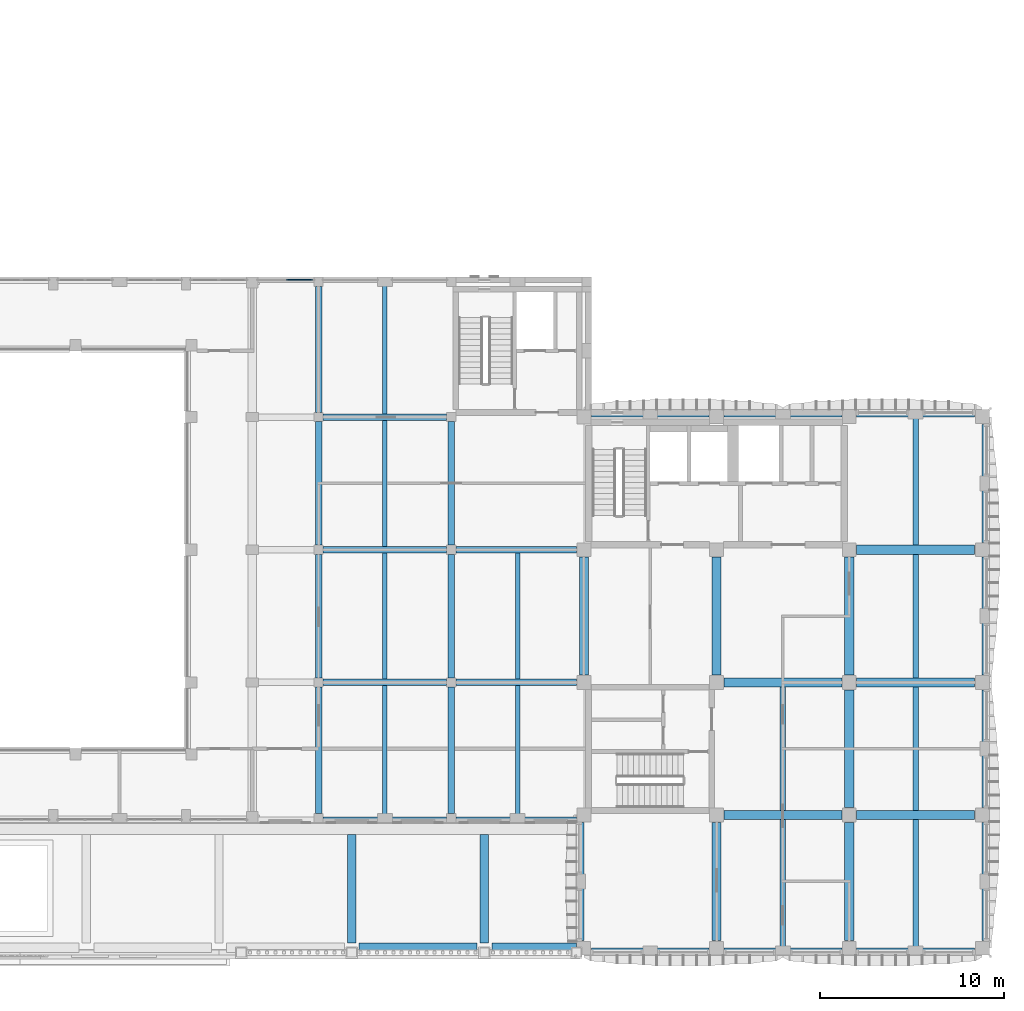
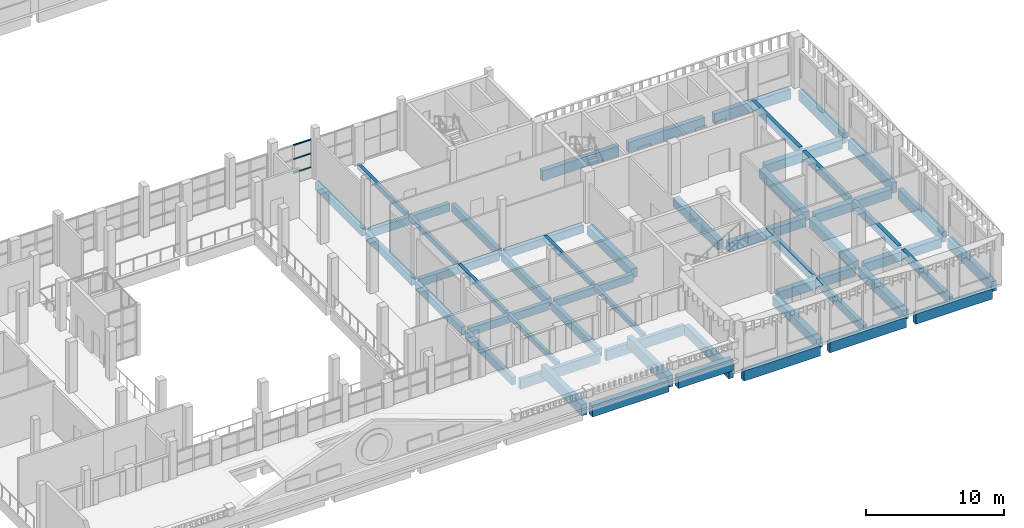
# One storey, part 12 of 58: 52 beams, 3 members, 1 element without a shape of its own.
"""IFC4 building model written with IfcOpenShell, lengths in metres."""

from ifc_helpers import new_model, si_unit, direction, frame, origin, origin_2d, place, context, subcontext, project, spatial, rectangle, extrude, material, layer, layer_set, material_profile, profile_set, type_object, element, aggregate, save


model = new_model("IFC4")

# Units and contexts
model_context = context("Model", 3, precision=1e-05, world=origin(), true_north=direction((0.0, 1.0)))
body_context = subcontext(model_context, "Body", "Model", "MODEL_VIEW")
ifc_project = project(units=[si_unit("LENGTHUNIT", "METRE"), si_unit("AREAUNIT", "SQUARE_METRE"), si_unit("VOLUMEUNIT", "CUBIC_METRE"), si_unit("PLANEANGLEUNIT", "RADIAN"), si_unit("MASSUNIT", "GRAM", prefix="KILO")], contexts=[model_context])

# Site, building, storey
site_placement = place(None, origin())
site = spatial("IfcSite", under=ifc_project, at=site_placement, CompositionType="ELEMENT")
building_placement = place(site_placement, origin())
building = spatial("IfcBuilding", under=site, at=building_placement, Name="Ussher Court Research Institute", CompositionType="ELEMENT")
storey_placement = place(building_placement, frame((0.0, 0.0, 9.89990234375)))
storey = spatial("IfcBuildingStorey", under=building, at=storey_placement, Name="L02", CompositionType="ELEMENT", Elevation=9.89990234375)

# Beams
ifc_material_1 = material(Name="Concrete C35/45", Category="concrete")
ifc_material_profile_1 = material_profile(ifc_material_1, rectangle(XDim=0.25, YDim=0.449951171875, at=origin_2d()), Name="RC 250x450")
ifc_profile_set_1 = profile_set([ifc_material_profile_1], Name="Concrete C35/45")
beam_type_1 = type_object("IfcBeamType", Name="RC 250x450 beam", PredefinedType="BEAM", material=ifc_profile_set_1)
beam_1_placement = place(storey_placement, frame((71.39990234375, 11.10009765625, -0.224853515625), z_axis=(0.0, 1.0, 0.0), x_axis=(-1.0, 0.0, 0.0)))
element("IfcBeam", 1, at=beam_1_placement, inside=storey, type_object=beam_type_1, Name="B1 V7 L02-03", PredefinedType="BEAM", context=body_context, shape_type="SweptSolid", body=[
    extrude(rectangle(XDim=0.25, YDim=0.449951171875, at=origin_2d()), origin(), (0.0, 0.0, 1.0), 7.125),
])
for number, where, z_axis, x_axis, name in (
    (2, (71.39990234375, 18.574951171875, -0.224853515625), (0.0, 1.0, 0.0), (-1.0, 0.0, 0.0), "B1 V7 L02-04"),
    (3, (71.39990234375, 25.77490234375, -0.224853515625), (0.0, 1.0, 0.0), (-1.0, 0.0, 0.0), "B1 V7 L02-05"),
):
    element("IfcBeam", number, at=place(storey_placement, frame(where, z_axis=z_axis, x_axis=x_axis)), inside=storey, type_object=beam_type_1, Name=name, PredefinedType="BEAM", context=body_context, shape_type="SweptSolid", body=[
        extrude(rectangle(XDim=0.25, YDim=0.449951171875, at=origin_2d()), origin(), (0.0, 0.0, 1.0), 6.85009765625),
    ])
for number, where, z_axis, x_axis, name in (
    (4, (71.39990234375, 32.97509765625, -0.224853515625), (0.0, 1.0, 0.0), (-1.0, 0.0, 0.0), "B1 V7 L02-06"),
    (5, (78.60009765625, 11.10009765625, -0.224853515625), (0.0, 1.0, 0.0), (-1.0, 0.0, 0.0), "B1 V7 L02-07"),
):
    element("IfcBeam", number, at=place(storey_placement, frame(where, z_axis=z_axis, x_axis=x_axis)), inside=storey, type_object=beam_type_1, Name=name, PredefinedType="BEAM", context=body_context, shape_type="SweptSolid", body=[
        extrude(rectangle(XDim=0.25, YDim=0.449951171875, at=origin_2d()), origin(), (0.0, 0.0, 1.0), 7.125),
    ])
beam_2_placement = place(storey_placement, frame((78.60009765625, 18.574951171875, -0.224853515625), z_axis=(0.0, 1.0, 0.0), x_axis=(-1.0, 0.0, 0.0)))
element("IfcBeam", 6, at=beam_2_placement, inside=storey, type_object=beam_type_1, Name="B1 V7 L02-08", PredefinedType="BEAM", context=body_context, shape_type="SweptSolid", body=[
    extrude(rectangle(XDim=0.25, YDim=0.449951171875, at=origin_2d()), origin(), (0.0, 0.0, 1.0), 6.85009765625),
])
ifc_material_2 = material(Name="Concrete C35/45", Category="concrete")
ifc_material_profile_2 = material_profile(ifc_material_2, rectangle(XDim=0.300048828125, YDim=0.699951171875, at=origin_2d()), Name="RC 300x700")
ifc_profile_set_2 = profile_set([ifc_material_profile_2], Name="Concrete C35/45")
beam_type_2 = type_object("IfcBeamType", Name="RC 300x700 beam", PredefinedType="BEAM", material=ifc_profile_set_2)
beam_3_placement = place(storey_placement, frame((93.0, 4.0, -0.349853515625), z_axis=(0.0, 1.0, 0.0), x_axis=(-1.0, 0.0, 0.0)))
element("IfcBeam", 7, at=beam_3_placement, inside=storey, type_object=beam_type_2, Name="B5 V4 L02-01", PredefinedType="BEAM", context=body_context, shape_type="SweptSolid", body=[
    extrude(rectangle(XDim=0.300048828125, YDim=0.699951171875, at=origin_2d()), origin(), (0.0, 0.0, 1.0), 6.949951171875),
])
beam_4_placement = place(storey_placement, frame((93.0, 11.449951171875, -0.349853515625), z_axis=(0.0, 1.0, 0.0), x_axis=(-1.0, 0.0, 0.0)))
element("IfcBeam", 8, at=beam_4_placement, inside=storey, type_object=beam_type_2, Name="B5 V4 L02-02", PredefinedType="BEAM", context=body_context, shape_type="SweptSolid", body=[
    extrude(rectangle(XDim=0.300048828125, YDim=0.699951171875, at=origin_2d()), origin(), (0.0, 0.0, 1.0), 6.699951171875),
])
beam_5_placement = place(storey_placement, frame((100.199951171875, 4.0, -0.349853515625), z_axis=(0.0, 1.0, 0.0), x_axis=(-1.0, 0.0, 0.0)))
element("IfcBeam", 9, at=beam_5_placement, inside=storey, type_object=beam_type_2, Name="B5 V4 L02-03", PredefinedType="BEAM", context=body_context, shape_type="SweptSolid", body=[
    extrude(rectangle(XDim=0.300048828125, YDim=0.699951171875, at=origin_2d()), origin(), (0.0, 0.0, 1.0), 6.949951171875),
])
beam_6_placement = place(storey_placement, frame((100.199951171875, 11.449951171875, -0.349853515625), z_axis=(0.0, 1.0, 0.0), x_axis=(-1.0, 0.0, 0.0)))
element("IfcBeam", 10, at=beam_6_placement, inside=storey, type_object=beam_type_2, Name="B5 V4 L02-04", PredefinedType="BEAM", context=body_context, shape_type="SweptSolid", body=[
    extrude(rectangle(XDim=0.300048828125, YDim=0.699951171875, at=origin_2d()), origin(), (0.0, 0.0, 1.0), 6.699951171875),
])
beam_7_placement = place(storey_placement, frame((100.199951171875, 18.64990234375, -0.349853515625), z_axis=(0.0, 1.0, 0.0), x_axis=(-1.0, 0.0, 0.0)))
element("IfcBeam", 11, at=beam_7_placement, inside=storey, type_object=beam_type_2, Name="B5 V4 L02-05", PredefinedType="BEAM", context=body_context, shape_type="SweptSolid", body=[
    extrude(rectangle(XDim=0.300048828125, YDim=0.699951171875, at=origin_2d()), origin(), (0.0, 0.0, 1.0), 6.7001953125),
])
beam_8_placement = place(storey_placement, frame((100.199951171875, 25.85009765625, -0.349853515625), z_axis=(0.0, 1.0, 0.0), x_axis=(-1.0, 0.0, 0.0)))
element("IfcBeam", 12, at=beam_8_placement, inside=storey, type_object=beam_type_2, Name="B5 V4 L02-06", PredefinedType="BEAM", context=body_context, shape_type="SweptSolid", body=[
    extrude(rectangle(XDim=0.300048828125, YDim=0.699951171875, at=origin_2d()), origin(), (0.0, 0.0, 1.0), 6.949951171875),
])
ifc_material_3 = material(Name="Concrete C35/45", Category="concrete")
ifc_material_profile_3 = material_profile(ifc_material_3, rectangle(XDim=0.300048828125, YDim=0.89990234375, at=origin_2d()), Name="RC 300x900")
ifc_profile_set_3 = profile_set([ifc_material_profile_3], Name="Concrete C35/45")
beam_type_3 = type_object("IfcBeamType", Name="RC 300x900 beam", PredefinedType="BEAM", material=ifc_profile_set_3)
beam_9_placement = place(storey_placement, frame((68.050048828125, 10.949951171875, -0.64990234375), z_axis=(1.0, 0.0, 0.0), x_axis=(0.0, 1.0, 0.0)))
element("IfcBeam", 13, at=beam_9_placement, inside=storey, type_object=beam_type_3, Name="SB2 V7 L02-04", PredefinedType="BEAM", context=body_context, shape_type="SweptSolid", body=[
    extrude(rectangle(XDim=0.300048828125, YDim=0.89990234375, at=origin_2d()), origin(), (0.0, 0.0, 1.0), 6.699951171875),
])
beam_10_placement = place(storey_placement, frame((75.25, 10.949951171875, -0.64990234375), z_axis=(1.0, 0.0, 0.0), x_axis=(0.0, 1.0, 0.0)))
element("IfcBeam", 14, at=beam_10_placement, inside=storey, type_object=beam_type_3, Name="SB2 V7 L02-05", PredefinedType="BEAM", context=body_context, shape_type="SweptSolid", body=[
    extrude(rectangle(XDim=0.300048828125, YDim=0.89990234375, at=origin_2d()), origin(), (0.0, 0.0, 1.0), 6.550048828125),
])
ifc_material_4 = material(Name="Concrete C35/45", Category="concrete")
ifc_material_profile_4 = material_profile(ifc_material_4, rectangle(XDim=0.35009765625, YDim=0.699951171875, at=origin_2d()), Name="RC 350x700")
ifc_profile_set_4 = profile_set([ifc_material_profile_4], Name="Concrete C35/45")
beam_type_4 = type_object("IfcBeamType", Name="RC 350x700 beam", PredefinedType="BEAM", material=ifc_profile_set_4)
beam_11_placement = place(storey_placement, frame((68.050048828125, 18.39990234375, -0.5498046875), z_axis=(1.0, 0.0, 0.0), x_axis=(0.0, 1.0, 0.0)))
element("IfcBeam", 15, at=beam_11_placement, inside=storey, type_object=beam_type_4, Name="B16 V7 L02-04", PredefinedType="BEAM", context=body_context, shape_type="SweptSolid", body=[
    extrude(rectangle(XDim=0.35009765625, YDim=0.699951171875, at=origin_2d()), origin(), (0.0, 0.0, 1.0), 6.699951171875),
])
beam_12_placement = place(storey_placement, frame((75.25, 18.39990234375, -0.5498046875), z_axis=(1.0, 0.0, 0.0), x_axis=(0.0, 1.0, 0.0)))
element("IfcBeam", 16, at=beam_12_placement, inside=storey, type_object=beam_type_4, Name="B16 V7 L02-05", PredefinedType="BEAM", context=body_context, shape_type="SweptSolid", body=[
    extrude(rectangle(XDim=0.35009765625, YDim=0.699951171875, at=origin_2d()), origin(), (0.0, 0.0, 1.0), 6.550048828125),
])
beam_13_placement = place(storey_placement, frame((68.050048828125, 25.60009765625, -0.5498046875), z_axis=(1.0, 0.0, 0.0), x_axis=(0.0, 1.0, 0.0)))
element("IfcBeam", 17, at=beam_13_placement, inside=storey, type_object=beam_type_4, Name="B16 V7 L02-09", PredefinedType="BEAM", context=body_context, shape_type="SweptSolid", body=[
    extrude(rectangle(XDim=0.35009765625, YDim=0.699951171875, at=origin_2d()), origin(), (0.0, 0.0, 1.0), 6.699951171875),
])
beam_14_placement = place(storey_placement, frame((75.25, 25.60009765625, -0.5498046875), z_axis=(1.0, 0.0, 0.0), x_axis=(0.0, 1.0, 0.0)))
element("IfcBeam", 18, at=beam_14_placement, inside=storey, type_object=beam_type_4, Name="B16 V7 L02-10", PredefinedType="BEAM", context=body_context, shape_type="SweptSolid", body=[
    extrude(rectangle(XDim=0.35009765625, YDim=0.699951171875, at=origin_2d()), origin(), (0.0, 0.0, 1.0), 6.550048828125),
])
beam_15_placement = place(storey_placement, frame((68.050048828125, 32.800048828125, -0.5498046875), z_axis=(1.0, 0.0, 0.0), x_axis=(0.0, 1.0, 0.0)))
element("IfcBeam", 19, at=beam_15_placement, inside=storey, type_object=beam_type_4, Name="B16 V7 L02-13", PredefinedType="BEAM", context=body_context, shape_type="SweptSolid", body=[
    extrude(rectangle(XDim=0.35009765625, YDim=0.699951171875, at=origin_2d()), origin(), (0.0, 0.0, 1.0), 6.699951171875),
])
beam_16_placement = place(storey_placement, frame((67.800048828125, 11.300048828125, -0.5498046875), z_axis=(0.0, 1.0, 0.0), x_axis=(-1.0, 0.0, 0.0)))
element("IfcBeam", 20, at=beam_16_placement, inside=storey, type_object=beam_type_4, Name="B16 V7 L02-17", PredefinedType="BEAM", context=body_context, shape_type="SweptSolid", body=[
    extrude(rectangle(XDim=0.35009765625, YDim=0.699951171875, at=origin_2d()), origin(), (0.0, 0.0, 1.0), 6.849853515625),
])
beam_17_placement = place(storey_placement, frame((67.800048828125, 18.64990234375, -0.5498046875), z_axis=(0.0, 1.0, 0.0), x_axis=(-1.0, 0.0, 0.0)))
element("IfcBeam", 21, at=beam_17_placement, inside=storey, type_object=beam_type_4, Name="B16 V7 L02-18", PredefinedType="BEAM", context=body_context, shape_type="SweptSolid", body=[
    extrude(rectangle(XDim=0.35009765625, YDim=0.699951171875, at=origin_2d()), origin(), (0.0, 0.0, 1.0), 6.7001953125),
])
beam_18_placement = place(storey_placement, frame((67.800048828125, 25.85009765625, -0.5498046875), z_axis=(0.0, 1.0, 0.0), x_axis=(-1.0, 0.0, 0.0)))
element("IfcBeam", 22, at=beam_18_placement, inside=storey, type_object=beam_type_4, Name="B16 V7 L02-19", PredefinedType="BEAM", context=body_context, shape_type="SweptSolid", body=[
    extrude(rectangle(XDim=0.35009765625, YDim=0.699951171875, at=origin_2d()), origin(), (0.0, 0.0, 1.0), 6.699951171875),
])
for number, where, z_axis, x_axis, name in (
    (23, (67.800048828125, 33.050048828125, -0.5498046875), (0.0, 1.0, 0.0), (-1.0, 0.0, 0.0), "B16 V7 L02-20"),
    (24, (75.0, 11.300048828125, -0.5498046875), (0.0, 1.0, 0.0), (-1.0, 0.0, 0.0), "B16 V7 L02-21"),
):
    element("IfcBeam", number, at=place(storey_placement, frame(where, z_axis=z_axis, x_axis=x_axis)), inside=storey, type_object=beam_type_4, Name=name, PredefinedType="BEAM", context=body_context, shape_type="SweptSolid", body=[
        extrude(rectangle(XDim=0.35009765625, YDim=0.699951171875, at=origin_2d()), origin(), (0.0, 0.0, 1.0), 6.849853515625),
    ])
beam_19_placement = place(storey_placement, frame((75.0, 18.64990234375, -0.5498046875), z_axis=(0.0, 1.0, 0.0), x_axis=(-1.0, 0.0, 0.0)))
element("IfcBeam", 25, at=beam_19_placement, inside=storey, type_object=beam_type_4, Name="B16 V7 L02-22", PredefinedType="BEAM", context=body_context, shape_type="SweptSolid", body=[
    extrude(rectangle(XDim=0.35009765625, YDim=0.699951171875, at=origin_2d()), origin(), (0.0, 0.0, 1.0), 6.7001953125),
])
beam_20_placement = place(storey_placement, frame((75.0, 25.85009765625, -0.5498046875), z_axis=(0.0, 1.0, 0.0), x_axis=(-1.0, 0.0, 0.0)))
element("IfcBeam", 26, at=beam_20_placement, inside=storey, type_object=beam_type_4, Name="B16 V7 L02-23", PredefinedType="BEAM", context=body_context, shape_type="SweptSolid", body=[
    extrude(rectangle(XDim=0.35009765625, YDim=0.699951171875, at=origin_2d()), origin(), (0.0, 0.0, 1.0), 6.699951171875),
])
ifc_material_5 = material(Name="Concrete C35/45", Category="concrete")
ifc_material_profile_5 = material_profile(ifc_material_5, rectangle(XDim=0.39990234375, YDim=0.89990234375, at=origin_2d()), Name="RC 400x900")
ifc_profile_set_5 = profile_set([ifc_material_profile_5], Name="Concrete C35/45")
beam_type_5 = type_object("IfcBeamType", Name="RC 400x900 beam", PredefinedType="BEAM", material=ifc_profile_set_5)
for number, where, z_axis, x_axis, name in (
    (27, (82.60009765625, 3.800048828125, -0.64990234375), (1.0, 0.0, 0.0), (0.0, 1.0, 0.0), "B8 V4 L02-01"),
    (28, (89.800048828125, 3.800048828125, -0.64990234375), (1.0, 0.0, 0.0), (0.0, 1.0, 0.0), "B8 V4 L02-02"),
    (29, (97.0, 3.800048828125, -0.64990234375), (1.0, 0.0, 0.0), (0.0, 1.0, 0.0), "B8 V4 L02-03"),
    (30, (82.60009765625, 33.0, -0.64990234375), (1.0, 0.0, 0.0), (0.0, 1.0, 0.0), "B8 V4 L02-04"),
    (31, (89.800048828125, 33.0, -0.64990234375), (1.0, 0.0, 0.0), (0.0, 1.0, 0.0), "B8 V4 L02-05"),
    (32, (97.0, 33.0, -0.64990234375), (1.0, 0.0, 0.0), (0.0, 1.0, 0.0), "B8 V4 L02-06"),
):
    element("IfcBeam", number, at=place(storey_placement, frame(where, z_axis=z_axis, x_axis=x_axis)), inside=storey, type_object=beam_type_5, Name=name, PredefinedType="BEAM", context=body_context, shape_type="SweptSolid", body=[
        extrude(rectangle(XDim=0.39990234375, YDim=0.89990234375, at=origin_2d()), origin(), (0.0, 0.0, 1.0), 6.39990234375),
    ])
for number, where, z_axis, x_axis, name in (
    (33, (82.0, 4.39990234375, -0.64990234375), (0.0, 1.0, 0.0), (-1.0, 0.0, 0.0), "B8 V4 L02-07"),
    (34, (104.0, 4.39990234375, -0.64990234375), (0.0, 1.0, 0.0), (-1.0, 0.0, 0.0), "B8 V4 L02-08"),
):
    element("IfcBeam", number, at=place(storey_placement, frame(where, z_axis=z_axis, x_axis=x_axis)), inside=storey, type_object=beam_type_5, Name=name, PredefinedType="BEAM", context=body_context, shape_type="SweptSolid", body=[
        extrude(rectangle(XDim=0.39990234375, YDim=0.89990234375, at=origin_2d()), origin(), (0.0, 0.0, 1.0), 6.400146484375),
    ])
for number, where, z_axis, x_axis, name in (
    (35, (104.0, 11.60009765625, -0.64990234375), (0.0, 1.0, 0.0), (-1.0, 0.0, 0.0), "B8 V4 L02-09"),
    (36, (104.0, 18.800048828125, -0.64990234375), (0.0, 1.0, 0.0), (-1.0, 0.0, 0.0), "B8 V4 L02-10"),
    (37, (104.0, 26.0, -0.64990234375), (0.0, 1.0, 0.0), (-1.0, 0.0, 0.0), "B8 V4 L02-11"),
):
    element("IfcBeam", number, at=place(storey_placement, frame(where, z_axis=z_axis, x_axis=x_axis)), inside=storey, type_object=beam_type_5, Name=name, PredefinedType="BEAM", context=body_context, shape_type="SweptSolid", body=[
        extrude(rectangle(XDim=0.39990234375, YDim=0.89990234375, at=origin_2d()), origin(), (0.0, 0.0, 1.0), 6.39990234375),
    ])
ifc_material_6 = material(Name="Concrete C35/45", Category="concrete")
ifc_material_profile_6 = material_profile(ifc_material_6, rectangle(XDim=0.449951171875, YDim=1.0, at=origin_2d()), Name="RC 450x1000")
ifc_profile_set_6 = profile_set([ifc_material_profile_6], Name="Concrete C35/45")
beam_type_6 = type_object("IfcBeamType", Name="RC 450x1000 beam", PredefinedType="BEAM", material=ifc_profile_set_6)
for number, where, z_axis, x_axis, name in (
    (38, (69.60009765625, 4.25, 0.5400390625), (0.0, 1.0, 0.0), (-1.0, 0.0, 0.0), "B19 V6 L02-06"),
    (39, (76.800048828125, 4.25, 0.5400390625), (0.0, 1.0, 0.0), (-1.0, 0.0, 0.0), "B19 V6 L02-07"),
):
    element("IfcBeam", number, at=place(storey_placement, frame(where, z_axis=z_axis, x_axis=x_axis)), inside=storey, type_object=beam_type_6, Name=name, PredefinedType="BEAM", context=body_context, shape_type="SweptSolid", body=[
        extrude(rectangle(XDim=0.449951171875, YDim=1.0, at=origin_2d()), origin(), (0.0, 0.0, 1.0), 5.89990234375),
    ])
ifc_material_7 = material(Name="Concrete C35/45", Category="concrete")
ifc_material_profile_7 = material_profile(ifc_material_7, rectangle(XDim=0.5, YDim=1.0, at=origin_2d()), Name="RC 500x1000")
ifc_profile_set_7 = profile_set([ifc_material_profile_7], Name="Concrete C35/45")
beam_type_7 = type_object("IfcBeamType", Name="RC 500x1000 beam", PredefinedType="BEAM", material=ifc_profile_set_7)
beam_21_placement = place(storey_placement, frame((70.0, 4.0, 0.5400390625), z_axis=(1.0, 0.0, 0.0), x_axis=(0.0, 1.0, 0.0)))
element("IfcBeam", 40, at=beam_21_placement, inside=storey, type_object=beam_type_7, Name="B12 V6 L02-07", PredefinedType="BEAM", context=body_context, shape_type="SweptSolid", body=[
    extrude(rectangle(XDim=0.5, YDim=1.0, at=origin_2d()), origin(), (0.0, 0.0, 1.0), 6.39990234375),
])
beam_22_placement = place(storey_placement, frame((77.199951171875, 4.0, 0.5400390625), z_axis=(1.0, 0.0, 0.0), x_axis=(0.0, 1.0, 0.0)))
element("IfcBeam", 41, at=beam_22_placement, inside=storey, type_object=beam_type_7, Name="B12 V6 L02-08", PredefinedType="BEAM", context=body_context, shape_type="SweptSolid", body=[
    extrude(rectangle(XDim=0.5, YDim=1.0, at=origin_2d()), origin(), (0.0, 0.0, 1.0), 4.60009765625),
])
ifc_material_8 = material(Name="Concrete C35/45", Category="concrete")
ifc_material_profile_8 = material_profile(ifc_material_8, rectangle(XDim=0.5, YDim=0.800048828125, at=origin_2d()), Name="RC 500x800")
ifc_profile_set_8 = profile_set([ifc_material_profile_8], Name="Concrete C35/45")
beam_type_8 = type_object("IfcBeamType", Name="RC 500x800 beam", PredefinedType="BEAM", material=ifc_profile_set_8)
for number, where, z_axis, x_axis, name in (
    (42, (89.800048828125, 11.199951171875, -0.599853515625), (1.0, 0.0, 0.0), (0.0, 1.0, 0.0), "B20 V4 L02-01"),
    (43, (97.0, 11.199951171875, -0.599853515625), (1.0, 0.0, 0.0), (0.0, 1.0, 0.0), "B20 V4 L02-02"),
    (44, (89.800048828125, 18.39990234375, -0.599853515625), (1.0, 0.0, 0.0), (0.0, 1.0, 0.0), "B20 V4 L02-03"),
    (45, (97.0, 18.39990234375, -0.599853515625), (1.0, 0.0, 0.0), (0.0, 1.0, 0.0), "B20 V4 L02-04"),
    (46, (97.0, 25.60009765625, -0.599853515625), (1.0, 0.0, 0.0), (0.0, 1.0, 0.0), "B20 V4 L02-05"),
    (47, (82.199951171875, 18.800048828125, -0.599853515625), (0.0, 1.0, 0.0), (-1.0, 0.0, 0.0), "B20 V4 L02-06"),
):
    element("IfcBeam", number, at=place(storey_placement, frame(where, z_axis=z_axis, x_axis=x_axis)), inside=storey, type_object=beam_type_8, Name=name, PredefinedType="BEAM", context=body_context, shape_type="SweptSolid", body=[
        extrude(rectangle(XDim=0.5, YDim=0.800048828125, at=origin_2d()), origin(), (0.0, 0.0, 1.0), 6.39990234375),
    ])
beam_23_placement = place(storey_placement, frame((89.39990234375, 4.39990234375, -0.599853515625), z_axis=(0.0, 1.0, 0.0), x_axis=(-1.0, 0.0, 0.0)))
element("IfcBeam", 48, at=beam_23_placement, inside=storey, type_object=beam_type_8, Name="B20 V4 L02-07", PredefinedType="BEAM", context=body_context, shape_type="SweptSolid", body=[
    extrude(rectangle(XDim=0.5, YDim=0.800048828125, at=origin_2d()), origin(), (0.0, 0.0, 1.0), 6.400146484375),
])
beam_24_placement = place(storey_placement, frame((89.39990234375, 18.800048828125, -0.599853515625), z_axis=(0.0, 1.0, 0.0), x_axis=(-1.0, 0.0, 0.0)))
element("IfcBeam", 49, at=beam_24_placement, inside=storey, type_object=beam_type_8, Name="B20 V4 L02-08", PredefinedType="BEAM", context=body_context, shape_type="SweptSolid", body=[
    extrude(rectangle(XDim=0.5, YDim=0.800048828125, at=origin_2d()), origin(), (0.0, 0.0, 1.0), 6.39990234375),
])
beam_25_placement = place(storey_placement, frame((96.60009765625, 4.39990234375, -0.599853515625), z_axis=(0.0, 1.0, 0.0), x_axis=(-1.0, 0.0, 0.0)))
element("IfcBeam", 50, at=beam_25_placement, inside=storey, type_object=beam_type_8, Name="B20 V4 L02-09", PredefinedType="BEAM", context=body_context, shape_type="SweptSolid", body=[
    extrude(rectangle(XDim=0.5, YDim=0.800048828125, at=origin_2d()), origin(), (0.0, 0.0, 1.0), 6.400146484375),
])
for number, where, z_axis, x_axis, name in (
    (51, (96.60009765625, 11.60009765625, -0.599853515625), (0.0, 1.0, 0.0), (-1.0, 0.0, 0.0), "B20 V4 L02-10"),
    (52, (96.60009765625, 18.800048828125, -0.599853515625), (0.0, 1.0, 0.0), (-1.0, 0.0, 0.0), "B20 V4 L02-11"),
):
    element("IfcBeam", number, at=place(storey_placement, frame(where, z_axis=z_axis, x_axis=x_axis)), inside=storey, type_object=beam_type_8, Name=name, PredefinedType="BEAM", context=body_context, shape_type="SweptSolid", body=[
        extrude(rectangle(XDim=0.5, YDim=0.800048828125, at=origin_2d()), origin(), (0.0, 0.0, 1.0), 6.39990234375),
    ])

# Curtain wall, members
ifc_material_9 = material(Name="Bronze anodised aluminium with insulated low-e glass", Category="aluminium")
ifc_layer = layer(ifc_material_9, 0.1201171875)
ifc_layer_set = layer_set([ifc_layer], Name="Bronze anodised aluminium with insulated low-e glass")
curtain_wall_type = type_object("IfcCurtainWallType", Name="Curtain wall reading link court front", PredefinedType="NOTDEFINED", material=ifc_layer_set)
curtain_wall_placement = place(storey_placement, origin())
curtain_wall = element("IfcCurtainWall", 53, at=curtain_wall_placement, inside=storey, type_object=curtain_wall_type, Name="Curtain wall CW7 L02", PredefinedType="NOTDEFINED")
ifc_material_10 = material(Name="Bronze anodised aluminium", Category="aluminium")
ifc_material_profile_9 = material_profile(ifc_material_10, rectangle(XDim=0.06005859375, YDim=0.1201171875, at=origin_2d()), Name="Transom 60x120")
ifc_profile_set_9 = profile_set([ifc_material_profile_9], Name="Bronze anodised aluminium")
member_type = type_object("IfcMemberType", Name="Transom 60x120", PredefinedType="USERDEFINED", material=ifc_profile_set_9)
member_1_placement = place(storey_placement, frame((66.054931640625, 40.25, 0.93017578125), z_axis=(1.0, 0.0, 0.0), x_axis=(0.0, 1.0, 0.0)))
member_1 = element("IfcMember", 54, at=member_1_placement, type_object=member_type, Name="CW7 transom 2.1", ObjectType="TRANSOM", PredefinedType="USERDEFINED", context=body_context, shape_type="SweptSolid", body=[
    extrude(rectangle(XDim=0.06005859375, YDim=0.1201171875, at=origin_2d()), origin(), (0.0, 0.0, 1.0), 1.43505859375),
])
member_2_placement = place(storey_placement, frame((66.054931640625, 40.25, 2.150146484375), z_axis=(1.0, 0.0, 0.0), x_axis=(0.0, 1.0, 0.0)))
member_2 = element("IfcMember", 55, at=member_2_placement, type_object=member_type, Name="CW7 transom 2.2", ObjectType="TRANSOM", PredefinedType="USERDEFINED", context=body_context, shape_type="SweptSolid", body=[
    extrude(rectangle(XDim=0.06005859375, YDim=0.1201171875, at=origin_2d()), origin(), (0.0, 0.0, 1.0), 1.43505859375),
])
member_3_placement = place(storey_placement, frame((66.054931640625, 40.25, 3.3701171875), z_axis=(1.0, 0.0, 0.0), x_axis=(0.0, 1.0, 0.0)))
member_3 = element("IfcMember", 56, at=member_3_placement, type_object=member_type, Name="CW7 transom 2.3", ObjectType="TRANSOM", PredefinedType="USERDEFINED", context=body_context, shape_type="SweptSolid", body=[
    extrude(rectangle(XDim=0.06005859375, YDim=0.1201171875, at=origin_2d()), origin(), (0.0, 0.0, 1.0), 1.43505859375),
])
aggregate(curtain_wall, [member_1, member_2, member_3])

save(model, "model.ifc")
